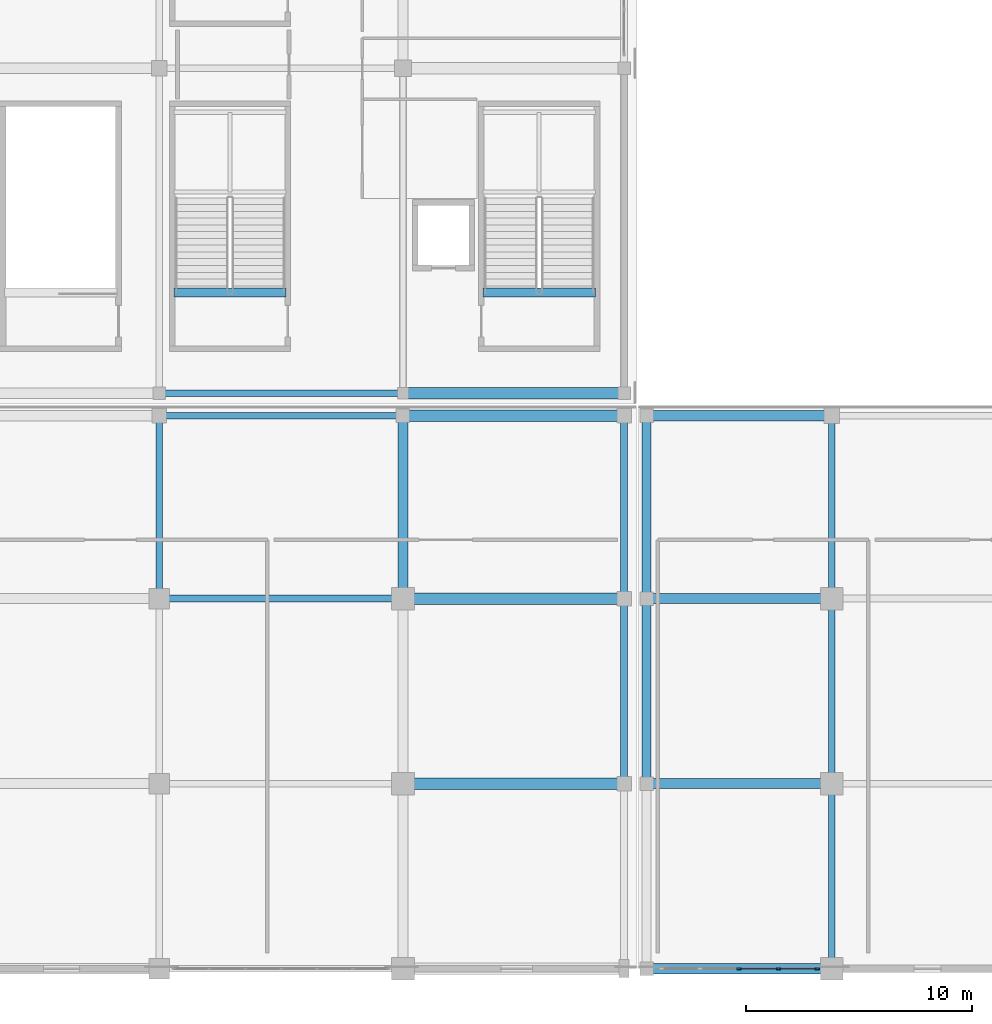
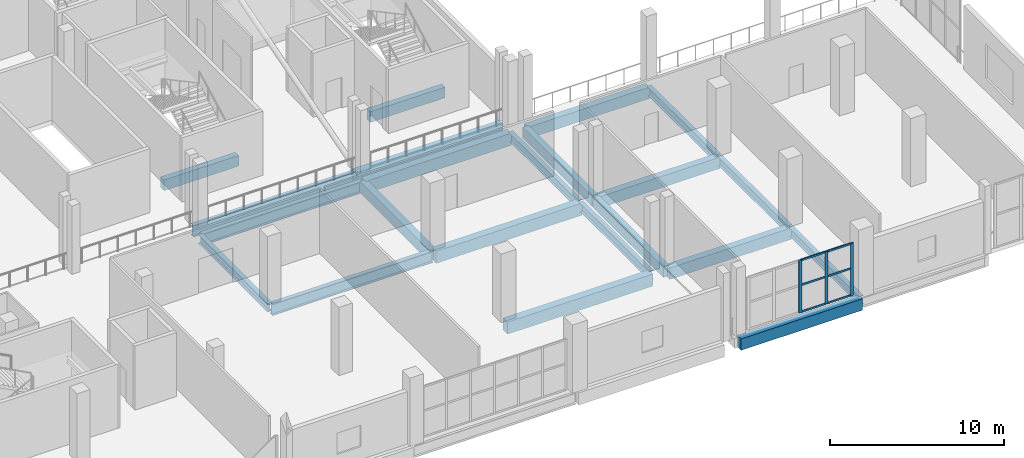
# One storey, part 37 of 129: 22 beams, 9 members, 1 element without a shape of its own.
"""IFC4 building model written with IfcOpenShell, lengths in metres."""

import ifcopenshell
import ifcopenshell.guid

model = None  # the IFC model being written
_history = None  # IfcOwnerHistory: only IFC2X3 demands one
_inside = {}  # id of a spatial element -> (the spatial element, [elements in it])
_under = {}  # id of a project, library or spatial element -> (it, [spatial elements below it])
_declared = {}  # id of a project -> (the project, [libraries it declares])
_typed = {}  # id of a type object -> (the type object, [elements of that type])
_made_of = {}  # id of a material, layer set ... -> (it, [elements and type objects made of it])


def new_model(schema):
    """Start an empty IFC model of exactly this schema.

    Asked for "IFC4X3", IfcOpenShell would pick the latest addendum, in which some entities
    have other attributes; the version numbers below select the first issue.
    IFC2X3 requires an IfcOwnerHistory on every rooted entity: one is made here for all.
    """
    global model, _history
    if schema == "IFC4X3":
        model = ifcopenshell.file(schema_version=(4, 3, 0, 0))
    else:
        model = ifcopenshell.file(schema=schema)
    _inside.clear()
    _under.clear()
    _declared.clear()
    _typed.clear()
    _made_of.clear()
    _history = None
    if model.schema == "IFC2X3":
        org = make("IfcOrganization", Name="unknown")
        user = make(
            "IfcPersonAndOrganization",
            ThePerson=make("IfcPerson", FamilyName="unknown"),
            TheOrganization=org,
        )
        app = make(
            "IfcApplication",
            ApplicationDeveloper=org,
            Version="unknown",
            ApplicationFullName="unknown",
            ApplicationIdentifier="unknown",
        )
        _history = make(
            "IfcOwnerHistory",
            OwningUser=user,
            OwningApplication=app,
            ChangeAction="ADDED",
            CreationDate=0,
        )
    return model


def make(cls, **values):
    """One entity of the class cls with the attributes given. An attribute that is None is left unset."""
    return model.create_entity(
        cls, **{name: value for name, value in values.items() if value is not None}
    )


def rooted(cls, **values):
    """An entity with a GlobalId (a new one), such as an element, a storey or a relation."""
    return make(cls, GlobalId=ifcopenshell.guid.new(), OwnerHistory=_history, **values)


def si_unit(unit_type, name, prefix=None):
    """IfcSIUnit, for example si_unit("LENGTHUNIT", "METRE", prefix="MILLI")."""
    return make("IfcSIUnit", UnitType=unit_type, Prefix=prefix, Name=name)


def assignment(units):
    """IfcUnitAssignment: the units of a project."""
    return None if units is None else make("IfcUnitAssignment", Units=units)


def point(xyz):
    """IfcCartesianPoint."""
    return None if xyz is None else make("IfcCartesianPoint", Coordinates=xyz)


def direction(xyz):
    """IfcDirection."""
    return None if xyz is None else make("IfcDirection", DirectionRatios=xyz)


def frame(location, z_axis=None, x_axis=None):
    """IfcAxis2Placement3D, a coordinate frame: its origin and axes. An axis left out is left unset."""
    return make(
        "IfcAxis2Placement3D",
        Location=point(location),
        Axis=direction(z_axis),
        RefDirection=direction(x_axis),
    )


def frame_2d(location, x_axis=None):
    """IfcAxis2Placement2D, a coordinate frame in the plane: its origin and x axis."""
    return make(
        "IfcAxis2Placement2D", Location=point(location), RefDirection=direction(x_axis)
    )


def origin():
    """The frame at (0, 0, 0) with its axes left unset."""
    return frame((0.0, 0.0, 0.0))


def origin_2d():
    """The frame at (0, 0) in the plane with its x axis left unset."""
    return frame_2d((0.0, 0.0))


def place(relative_to, where):
    """IfcLocalPlacement: puts the frame where relative to a parent placement (None: the world)."""
    return make(
        "IfcLocalPlacement", PlacementRelTo=relative_to, RelativePlacement=where
    )


def context(
    kind, dimensions, precision=None, world=None, true_north=None, identifier=None
):
    """IfcGeometricRepresentationContext, for example the 3D "Model" context."""
    return make(
        "IfcGeometricRepresentationContext",
        ContextIdentifier=identifier,
        ContextType=kind,
        CoordinateSpaceDimension=dimensions,
        Precision=precision,
        WorldCoordinateSystem=world,
        TrueNorth=true_north,
    )


def subcontext(parent, identifier, kind, view, scale=None):
    """IfcGeometricRepresentationSubContext, for example "Body" below "Model"."""
    return make(
        "IfcGeometricRepresentationSubContext",
        ContextIdentifier=identifier,
        ContextType=kind,
        ParentContext=parent,
        TargetScale=scale,
        TargetView=view,
    )


def project(units=None, contexts=None):
    """IfcProject with its units and contexts."""
    return rooted(
        "IfcProject",
        Name="project",
        RepresentationContexts=contexts,
        UnitsInContext=assignment(units),
    )


def spatial(cls, under=None, at=None, **own):
    """A site, building, storey or space (cls), placed at a placement, below another one or the project."""
    s = rooted(cls, ObjectPlacement=at, **own)
    if under is not None:
        _under.setdefault(under.id(), (under, []))[1].append(s)
    return s


def profile(cls, at=None, kind="AREA", **sizes):
    """A parametric profile (cls). Its sizes go by their IFC names, for example OverallWidth=200.0."""
    return make(cls, ProfileType=kind, Position=at, **sizes)


def rectangle(**sizes):
    """IfcRectangleProfileDef."""
    return profile("IfcRectangleProfileDef", **sizes)


def i_section(**sizes):
    """IfcIShapeProfileDef."""
    return profile("IfcIShapeProfileDef", **sizes)


def extrude(swept, where, along, depth):
    """IfcExtrudedAreaSolid: the profile swept, set in the frame where, extruded along a direction by depth."""
    return make(
        "IfcExtrudedAreaSolid",
        SweptArea=swept,
        Position=where,
        ExtrudedDirection=direction(along),
        Depth=depth,
    )


def shape(context_of_items, identifier, shape_type, items):
    """IfcShapeRepresentation: the items that make up one representation, for example the "Body"."""
    return make(
        "IfcShapeRepresentation",
        ContextOfItems=context_of_items,
        RepresentationIdentifier=identifier,
        RepresentationType=shape_type,
        Items=items,
    )


def material(Name=None, Category=None):
    """IfcMaterial."""
    return make("IfcMaterial", Name=Name, Category=Category)


def material_profile(
    of_material, cross_section, Name=None, Category=None, Priority=None
):
    """IfcMaterialProfile: a cross section and its material."""
    return make(
        "IfcMaterialProfile",
        Name=Name,
        Material=of_material,
        Profile=cross_section,
        Priority=Priority,
        Category=Category,
    )


def profile_set(profiles, Name=None, composite=None):
    """IfcMaterialProfileSet."""
    return make(
        "IfcMaterialProfileSet",
        Name=Name,
        MaterialProfiles=profiles,
        CompositeProfile=composite,
    )


def made_of(thing, what):
    """Note that an element or type object is made of a material, layer set ...; save() writes the relation."""
    if what is not None:
        _made_of.setdefault(what.id(), (what, []))[1].append(thing)
    return thing


def type_object(cls, material=None, **own):
    """A type object (cls), such as IfcWallType, which elements share."""
    return made_of(rooted(cls, **own), material)


def element(
    cls,
    number,
    at=None,
    inside=None,
    cuts=None,
    type_object=None,
    material=None,
    context=None,
    identifier="Body",
    shape_type=None,
    held_by="IfcProductDefinitionShape",
    body=None,
    shapes=None,
    **own,
):
    """One element of the class cls, such as IfcWall. Its Tag is "e" and its number.

    at: its placement. inside: the storey or other place that contains it. cuts: it is an
    opening in that element (IfcRelVoidsElement). A single representation is given by context,
    identifier, shape_type and body (its items); several are given by shapes. held_by: the class
    of the entity that holds the representations. save() writes the other relations.
    """
    e = rooted(cls, Tag="e%d" % number, ObjectPlacement=at, **own)
    if body is not None:
        shapes = [shape(context, identifier, shape_type, body)]
    if shapes is not None:
        e.Representation = make(held_by, Representations=shapes)
    if inside is not None:
        _inside.setdefault(inside.id(), (inside, []))[1].append(e)
    if cuts is not None:
        rooted(
            "IfcRelVoidsElement", RelatingBuildingElement=cuts, RelatedOpeningElement=e
        )
    if type_object is not None:
        _typed.setdefault(type_object.id(), (type_object, []))[1].append(e)
    return made_of(e, material)


def aggregate(whole, parts):
    """IfcRelAggregates: a whole, such as a stair, and the parts it consists of."""
    return rooted("IfcRelAggregates", RelatingObject=whole, RelatedObjects=parts)


def save(model, path):
    """Write the relations noted so far, then the file.

    IfcRelAggregates (storeys below a building ...), IfcRelContainedInSpatialStructure (elements
    in a storey), IfcRelDefinesByType, IfcRelAssociatesMaterial and IfcRelDeclares: one each for
    every whole, place, type object, material and project.
    """
    for whole, parts in _under.values():
        aggregate(whole, parts)
    for where, things in _inside.values():
        rooted(
            "IfcRelContainedInSpatialStructure",
            RelatedElements=things,
            RelatingStructure=where,
        )
    for kind, things in _typed.values():
        rooted("IfcRelDefinesByType", RelatedObjects=things, RelatingType=kind)
    for what, things in _made_of.values():
        rooted("IfcRelAssociatesMaterial", RelatedObjects=things, RelatingMaterial=what)
    for by, libraries in _declared.values():
        rooted("IfcRelDeclares", RelatingContext=by, RelatedDefinitions=libraries)
    model.write(path)


model = new_model("IFC4")

# Units and contexts
model_context = context("Model", 3, precision=1e-05, world=origin(), true_north=direction((0.0, 1.0)))
body_context = subcontext(model_context, "Body", "Model", "MODEL_VIEW")
ifc_project = project(units=[si_unit("LENGTHUNIT", "METRE"), si_unit("AREAUNIT", "SQUARE_METRE"), si_unit("VOLUMEUNIT", "CUBIC_METRE"), si_unit("PLANEANGLEUNIT", "RADIAN"), si_unit("MASSUNIT", "GRAM", prefix="KILO")], contexts=[model_context])

# Site, building, storey
site_placement = place(None, origin())
site = spatial("IfcSite", under=ifc_project, at=site_placement, CompositionType="ELEMENT")
building_placement = place(site_placement, origin())
building = spatial("IfcBuilding", under=site, at=building_placement, Name="Koshinbarg Plaza Stadium", CompositionType="ELEMENT")
storey_placement = place(building_placement, frame((0.0, 0.0, 5.39990234375)))
storey = spatial("IfcBuildingStorey", under=building, at=storey_placement, Name="L01", CompositionType="ELEMENT", Elevation=5.39990234375)

# Beams
ifc_material_1 = material(Name="Concrete C40/50", Category="concrete")
ifc_material_profile_1 = material_profile(ifc_material_1, rectangle(XDim=0.39990234375, YDim=0.75, at=origin_2d()), Name="RC 400x750")
ifc_profile_set_1 = profile_set([ifc_material_profile_1], Name="Concrete C40/50")
beam_type_1 = type_object("IfcBeamType", Name="BM-RCG-03", PredefinedType="USERDEFINED", material=ifc_profile_set_1)
beam_1_placement = place(storey_placement, frame((219.39990234375, 8.260009765625, -0.69482421875), z_axis=(0.0, 1.0, 0.0), x_axis=(-1.0, 0.0, 0.0)))
element("IfcBeam", 1, at=beam_1_placement, inside=storey, type_object=beam_type_1, Name="L01 Y girder 22/B-C", ObjectType="GIRDER", PredefinedType="USERDEFINED", context=body_context, shape_type="SweptSolid", body=[
    extrude(rectangle(XDim=0.39990234375, YDim=0.75, at=origin_2d()), origin(), (0.0, 0.0, 1.0), 8.080078125),
])
beam_2_placement = place(storey_placement, frame((219.39990234375, 16.4599609375, -0.69482421875), z_axis=(0.0, 1.0, 0.0), x_axis=(-1.0, 0.0, 0.0)))
element("IfcBeam", 2, at=beam_2_placement, inside=storey, type_object=beam_type_1, Name="L01 Y girder 22/C-D", ObjectType="GIRDER", PredefinedType="USERDEFINED", context=body_context, shape_type="SweptSolid", body=[
    extrude(rectangle(XDim=0.39990234375, YDim=0.75, at=origin_2d()), origin(), (0.0, 0.0, 1.0), 7.97998046875),
])
beam_3_placement = place(storey_placement, frame((212.14990234375, 29.9599609375, -0.375), z_axis=(1.0, 0.0, 0.0), x_axis=(0.0, 1.0, 0.0)))
element("IfcBeam", 3, at=beam_3_placement, inside=storey, type_object=beam_type_1, Name="L01 stair landing header beam C07", ObjectType="GIRDER", PredefinedType="USERDEFINED", context=body_context, shape_type="SweptSolid", body=[
    extrude(rectangle(XDim=0.39990234375, YDim=0.75, at=origin_2d()), origin(), (0.0, 0.0, 1.0), 4.97021484375),
])
beam_4_placement = place(storey_placement, frame((198.449951171875, 29.9599609375, -0.375), z_axis=(1.0, 0.0, 0.0), x_axis=(0.0, 1.0, 0.0)))
element("IfcBeam", 4, at=beam_4_placement, inside=storey, type_object=beam_type_1, Name="L01 stair landing header beam VX07", ObjectType="GIRDER", PredefinedType="USERDEFINED", context=body_context, shape_type="SweptSolid", body=[
    extrude(rectangle(XDim=0.39990234375, YDim=0.75, at=origin_2d()), origin(), (0.0, 0.0, 1.0), 4.969970703125),
])
ifc_material_profile_2 = material_profile(ifc_material_1, rectangle(XDim=0.449951171875, YDim=0.800048828125, at=origin_2d()), Name="RC 450x800")
ifc_profile_set_2 = profile_set([ifc_material_profile_2], Name="Concrete C40/50")
beam_type_2 = type_object("IfcBeamType", Name="BM-RCG-04", PredefinedType="USERDEFINED", material=ifc_profile_set_2)
for number, where, z_axis, x_axis, name in (
    (5, (219.4599609375, 0.0, -0.719970703125), (1.0, 0.0, 0.0), (0.0, 1.0, 0.0), "L01 X girder A/22-23"),
    (6, (219.4599609375, 8.199951171875, -0.719970703125), (1.0, 0.0, 0.0), (0.0, 1.0, 0.0), "L01 X girder B/22-23"),
    (7, (219.4599609375, 16.39990234375, -0.719970703125), (1.0, 0.0, 0.0), (0.0, 1.0, 0.0), "L01 X girder C/22-23"),
    (8, (219.4599609375, 24.5, -0.719970703125), (1.0, 0.0, 0.0), (0.0, 1.0, 0.0), "L01 X girder D/22-23"),
):
    element("IfcBeam", number, at=place(storey_placement, frame(where, z_axis=z_axis, x_axis=x_axis)), inside=storey, type_object=beam_type_2, Name=name, ObjectType="GIRDER", PredefinedType="USERDEFINED", context=body_context, shape_type="SweptSolid", body=[
        extrude(rectangle(XDim=0.449951171875, YDim=0.800048828125, at=origin_2d()), origin(), (0.0, 0.0, 1.0), 8.080078125),
    ])
beam_5_placement = place(storey_placement, frame((208.60009765625, 16.4599609375, -0.719970703125), z_axis=(0.0, 1.0, 0.0), x_axis=(-1.0, 0.0, 0.0)))
element("IfcBeam", 9, at=beam_5_placement, inside=storey, type_object=beam_type_2, Name="L01 Y girder 20/C-D", ObjectType="GIRDER", PredefinedType="USERDEFINED", context=body_context, shape_type="SweptSolid", body=[
    extrude(rectangle(XDim=0.449951171875, YDim=0.800048828125, at=origin_2d()), origin(), (0.0, 0.0, 1.0), 7.97998046875),
])
ifc_material_profile_3 = material_profile(ifc_material_1, rectangle(XDim=0.5, YDim=0.85009765625, at=origin_2d()), Name="RC 500x850")
ifc_profile_set_3 = profile_set([ifc_material_profile_3], Name="Concrete C40/50")
beam_type_3 = type_object("IfcBeamType", Name="BM-RCG-05", PredefinedType="USERDEFINED", material=ifc_profile_set_3)
for number, where, z_axis, x_axis, name in (
    (10, (208.659912109375, 8.199951171875, -0.744873046875), (1.0, 0.0, 0.0), (0.0, 1.0, 0.0), "L01 X girder B/20-21"),
    (11, (208.659912109375, 16.39990234375, -0.744873046875), (1.0, 0.0, 0.0), (0.0, 1.0, 0.0), "L01 X girder C/20-21"),
    (12, (208.659912109375, 24.5, -0.744873046875), (1.0, 0.0, 0.0), (0.0, 1.0, 0.0), "L01 X girder D/20-21"),
    (13, (208.659912109375, 25.5, -0.744873046875), (1.0, 0.0, 0.0), (0.0, 1.0, 0.0), "L01 X girder E/20-21"),
):
    element("IfcBeam", number, at=place(storey_placement, frame(where, z_axis=z_axis, x_axis=x_axis)), inside=storey, type_object=beam_type_3, Name=name, ObjectType="GIRDER", PredefinedType="USERDEFINED", context=body_context, shape_type="SweptSolid", body=[
        extrude(rectangle(XDim=0.5, YDim=0.85009765625, at=origin_2d()), origin(), (0.0, 0.0, 1.0), 9.68017578125),
    ])
ifc_material_2 = material(Name="Steel S355", Category="steel")
ifc_material_profile_4 = material_profile(ifc_material_2, i_section(OverallWidth=0.300048828125, OverallDepth=0.60009765625, WebThickness=0.015380859375, FlangeThickness=0.030029296875, at=origin_2d()), Name="HEB 600")
ifc_profile_set_4 = profile_set([ifc_material_profile_4], Name="Steel S355")
beam_type_4 = type_object("IfcBeamType", Name="BM-SGIR-02", PredefinedType="USERDEFINED", material=ifc_profile_set_4)
beam_6_placement = place(storey_placement, frame((197.800048828125, 16.4599609375, -0.619873046875), z_axis=(0.0, 1.0, 0.0), x_axis=(-1.0, 0.0, 0.0)))
element("IfcBeam", 14, at=beam_6_placement, inside=storey, type_object=beam_type_4, Name="L01 Y girder 19/C-D", ObjectType="GIRDER", PredefinedType="USERDEFINED", context=body_context, shape_type="SweptSolid", body=[
    extrude(i_section(OverallWidth=0.300048828125, OverallDepth=0.60009765625, WebThickness=0.015380859375, FlangeThickness=0.030029296875, at=origin_2d()), origin(), (0.0, 0.0, 1.0), 7.97998046875),
])
beam_7_placement = place(storey_placement, frame((218.39990234375, 8.260009765625, -0.619873046875), z_axis=(0.0, 1.0, 0.0), x_axis=(-1.0, 0.0, 0.0)))
element("IfcBeam", 15, at=beam_7_placement, inside=storey, type_object=beam_type_4, Name="L01 Y girder 21/B-C", ObjectType="GIRDER", PredefinedType="USERDEFINED", context=body_context, shape_type="SweptSolid", body=[
    extrude(i_section(OverallWidth=0.300048828125, OverallDepth=0.60009765625, WebThickness=0.015380859375, FlangeThickness=0.030029296875, at=origin_2d()), origin(), (0.0, 0.0, 1.0), 8.080078125),
])
beam_8_placement = place(storey_placement, frame((218.39990234375, 16.4599609375, -0.619873046875), z_axis=(0.0, 1.0, 0.0), x_axis=(-1.0, 0.0, 0.0)))
element("IfcBeam", 16, at=beam_8_placement, inside=storey, type_object=beam_type_4, Name="L01 Y girder 21/C-D", ObjectType="GIRDER", PredefinedType="USERDEFINED", context=body_context, shape_type="SweptSolid", body=[
    extrude(i_section(OverallWidth=0.300048828125, OverallDepth=0.60009765625, WebThickness=0.015380859375, FlangeThickness=0.030029296875, at=origin_2d()), origin(), (0.0, 0.0, 1.0), 7.97998046875),
])
beam_9_placement = place(storey_placement, frame((227.60009765625, 0.06005859375, -0.619873046875), z_axis=(0.0, 1.0, 0.0), x_axis=(-1.0, 0.0, 0.0)))
element("IfcBeam", 17, at=beam_9_placement, inside=storey, type_object=beam_type_4, Name="L01 Y girder 23/A-B", ObjectType="GIRDER", PredefinedType="USERDEFINED", context=body_context, shape_type="SweptSolid", body=[
    extrude(i_section(OverallWidth=0.300048828125, OverallDepth=0.60009765625, WebThickness=0.015380859375, FlangeThickness=0.030029296875, at=origin_2d()), origin(), (0.0, 0.0, 1.0), 8.079833984375),
])
beam_10_placement = place(storey_placement, frame((227.60009765625, 8.260009765625, -0.619873046875), z_axis=(0.0, 1.0, 0.0), x_axis=(-1.0, 0.0, 0.0)))
element("IfcBeam", 18, at=beam_10_placement, inside=storey, type_object=beam_type_4, Name="L01 Y girder 23/B-C", ObjectType="GIRDER", PredefinedType="USERDEFINED", context=body_context, shape_type="SweptSolid", body=[
    extrude(i_section(OverallWidth=0.300048828125, OverallDepth=0.60009765625, WebThickness=0.015380859375, FlangeThickness=0.030029296875, at=origin_2d()), origin(), (0.0, 0.0, 1.0), 8.080078125),
])
beam_11_placement = place(storey_placement, frame((227.60009765625, 16.4599609375, -0.619873046875), z_axis=(0.0, 1.0, 0.0), x_axis=(-1.0, 0.0, 0.0)))
element("IfcBeam", 19, at=beam_11_placement, inside=storey, type_object=beam_type_4, Name="L01 Y girder 23/C-D", ObjectType="GIRDER", PredefinedType="USERDEFINED", context=body_context, shape_type="SweptSolid", body=[
    extrude(i_section(OverallWidth=0.300048828125, OverallDepth=0.60009765625, WebThickness=0.015380859375, FlangeThickness=0.030029296875, at=origin_2d()), origin(), (0.0, 0.0, 1.0), 7.97998046875),
])
ifc_material_profile_5 = material_profile(ifc_material_2, i_section(OverallWidth=0.300048828125, OverallDepth=0.800048828125, WebThickness=0.017578125, FlangeThickness=0.032958984375, at=origin_2d()), Name="HEB 800")
ifc_profile_set_5 = profile_set([ifc_material_profile_5], Name="Steel S355")
beam_type_5 = type_object("IfcBeamType", Name="BM-SGIR-04", PredefinedType="USERDEFINED", material=ifc_profile_set_5)
for number, where, z_axis, x_axis, name in (
    (20, (197.860107421875, 16.39990234375, -0.719970703125), (1.0, 0.0, 0.0), (0.0, 1.0, 0.0), "L01 X girder C/19-20"),
    (21, (197.860107421875, 24.5, -0.719970703125), (1.0, 0.0, 0.0), (0.0, 1.0, 0.0), "L01 X girder D/19-20"),
    (22, (197.860107421875, 25.5, -0.719970703125), (1.0, 0.0, 0.0), (0.0, 1.0, 0.0), "L01 X girder E/19-20"),
):
    element("IfcBeam", number, at=place(storey_placement, frame(where, z_axis=z_axis, x_axis=x_axis)), inside=storey, type_object=beam_type_5, Name=name, ObjectType="GIRDER", PredefinedType="USERDEFINED", context=body_context, shape_type="SweptSolid", body=[
        extrude(i_section(OverallWidth=0.300048828125, OverallDepth=0.800048828125, WebThickness=0.017578125, FlangeThickness=0.032958984375, at=origin_2d()), origin(), (0.0, 0.0, 1.0), 10.679931640625),
    ])

# Curtain wall, members
ifc_material_3 = material(Name="Thermally broken anodised aluminium and low-E double glazing", Category="aluminium")
curtain_wall_type = type_object("IfcCurtainWallType", Name="CW-SYS-12", PredefinedType="NOTDEFINED", material=ifc_material_3)
curtain_wall_placement = place(storey_placement, origin())
curtain_wall = element("IfcCurtainWall", 23, at=curtain_wall_placement, inside=storey, type_object=curtain_wall_type, Name="L01 unitised curtain wall CW-L01-027", PredefinedType="NOTDEFINED")
ifc_material_4 = material(Name="Anodised aluminium mullion", Category="aluminium")
ifc_material_profile_6 = material_profile(ifc_material_4, rectangle(XDim=0.070068359375, YDim=0.199951171875, at=origin_2d()), Name="ALU 70x200")
ifc_profile_set_6 = profile_set([ifc_material_profile_6], Name="Anodised aluminium mullion")
member_type_1 = type_object("IfcMemberType", Name="CW-MUL-04", PredefinedType="MULLION", material=ifc_profile_set_6)
member_1_placement = place(storey_placement, frame((226.949951171875, 0.0, 0.0), z_axis=(0.0, 0.0, 1.0), x_axis=(0.0, -1.0, 0.0)))
member_1 = element("IfcMember", 24, at=member_1_placement, type_object=member_type_1, Name="CW12 mullion 1", PredefinedType="MULLION", context=body_context, shape_type="SweptSolid", body=[
    extrude(rectangle(XDim=0.070068359375, YDim=0.199951171875, at=origin_2d()), origin(), (0.0, 0.0, 1.0), 3.68017578125),
])
member_2_placement = place(storey_placement, frame((225.239990234375, 0.0, 0.0), z_axis=(0.0, 0.0, 1.0), x_axis=(0.0, -1.0, 0.0)))
member_2 = element("IfcMember", 25, at=member_2_placement, type_object=member_type_1, Name="CW12 mullion 2", PredefinedType="MULLION", context=body_context, shape_type="SweptSolid", body=[
    extrude(rectangle(XDim=0.070068359375, YDim=0.199951171875, at=origin_2d()), origin(), (0.0, 0.0, 1.0), 3.68017578125),
])
member_3_placement = place(storey_placement, frame((223.5, 0.0, 0.0), z_axis=(0.0, 0.0, 1.0), x_axis=(0.0, -1.0, 0.0)))
member_3 = element("IfcMember", 26, at=member_3_placement, type_object=member_type_1, Name="CW12 mullion 3", PredefinedType="MULLION", context=body_context, shape_type="SweptSolid", body=[
    extrude(rectangle(XDim=0.070068359375, YDim=0.199951171875, at=origin_2d()), origin(), (0.0, 0.0, 1.0), 3.68017578125),
])
ifc_material_5 = material(Name="Anodised aluminium transom", Category="aluminium")
ifc_material_profile_7 = material_profile(ifc_material_5, rectangle(XDim=0.06005859375, YDim=0.1298828125, at=origin_2d()), Name="ALU 60x130")
ifc_profile_set_7 = profile_set([ifc_material_profile_7], Name="Anodised aluminium transom")
member_type_2 = type_object("IfcMemberType", Name="CW-TRN-02", PredefinedType="USERDEFINED", material=ifc_profile_set_7)
member_4_placement = place(storey_placement, frame((226.919921875, 0.0, 0.030029296875), z_axis=(-1.0, 0.0, 0.0), x_axis=(0.0, -1.0, 0.0)))
member_4 = element("IfcMember", 27, at=member_4_placement, type_object=member_type_2, Name="CW12 transom 1.1", ObjectType="TRANSOM", PredefinedType="USERDEFINED", context=body_context, shape_type="SweptSolid", body=[
    extrude(rectangle(XDim=0.06005859375, YDim=0.1298828125, at=origin_2d()), origin(), (0.0, 0.0, 1.0), 1.64990234375),
])
member_5_placement = place(storey_placement, frame((226.919921875, 0.0, 1.913818359375), z_axis=(-1.0, 0.0, 0.0), x_axis=(0.0, -1.0, 0.0)))
member_5 = element("IfcMember", 28, at=member_5_placement, type_object=member_type_2, Name="CW12 transom 1.2", ObjectType="TRANSOM", PredefinedType="USERDEFINED", context=body_context, shape_type="SweptSolid", body=[
    extrude(rectangle(XDim=0.06005859375, YDim=0.1298828125, at=origin_2d()), origin(), (0.0, 0.0, 1.0), 1.64990234375),
])
member_6_placement = place(storey_placement, frame((226.919921875, 0.0, 3.650146484375), z_axis=(-1.0, 0.0, 0.0), x_axis=(0.0, -1.0, 0.0)))
member_6 = element("IfcMember", 29, at=member_6_placement, type_object=member_type_2, Name="CW12 transom 1.3", ObjectType="TRANSOM", PredefinedType="USERDEFINED", context=body_context, shape_type="SweptSolid", body=[
    extrude(rectangle(XDim=0.06005859375, YDim=0.1298828125, at=origin_2d()), origin(), (0.0, 0.0, 1.0), 1.64990234375),
])
member_7_placement = place(storey_placement, frame((225.2099609375, 0.0, 0.030029296875), z_axis=(-1.0, 0.0, 0.0), x_axis=(0.0, -1.0, 0.0)))
member_7 = element("IfcMember", 30, at=member_7_placement, type_object=member_type_2, Name="CW12 transom 2.1", ObjectType="TRANSOM", PredefinedType="USERDEFINED", context=body_context, shape_type="SweptSolid", body=[
    extrude(rectangle(XDim=0.06005859375, YDim=0.1298828125, at=origin_2d()), origin(), (0.0, 0.0, 1.0), 1.679931640625),
])
member_8_placement = place(storey_placement, frame((225.2099609375, 0.0, 1.913818359375), z_axis=(-1.0, 0.0, 0.0), x_axis=(0.0, -1.0, 0.0)))
member_8 = element("IfcMember", 31, at=member_8_placement, type_object=member_type_2, Name="CW12 transom 2.2", ObjectType="TRANSOM", PredefinedType="USERDEFINED", context=body_context, shape_type="SweptSolid", body=[
    extrude(rectangle(XDim=0.06005859375, YDim=0.1298828125, at=origin_2d()), origin(), (0.0, 0.0, 1.0), 1.679931640625),
])
member_9_placement = place(storey_placement, frame((225.2099609375, 0.0, 3.650146484375), z_axis=(-1.0, 0.0, 0.0), x_axis=(0.0, -1.0, 0.0)))
member_9 = element("IfcMember", 32, at=member_9_placement, type_object=member_type_2, Name="CW12 transom 2.3", ObjectType="TRANSOM", PredefinedType="USERDEFINED", context=body_context, shape_type="SweptSolid", body=[
    extrude(rectangle(XDim=0.06005859375, YDim=0.1298828125, at=origin_2d()), origin(), (0.0, 0.0, 1.0), 1.679931640625),
])
aggregate(curtain_wall, [member_1, member_2, member_3, member_4, member_5, member_6, member_7, member_8, member_9])

save(model, "model.ifc")
